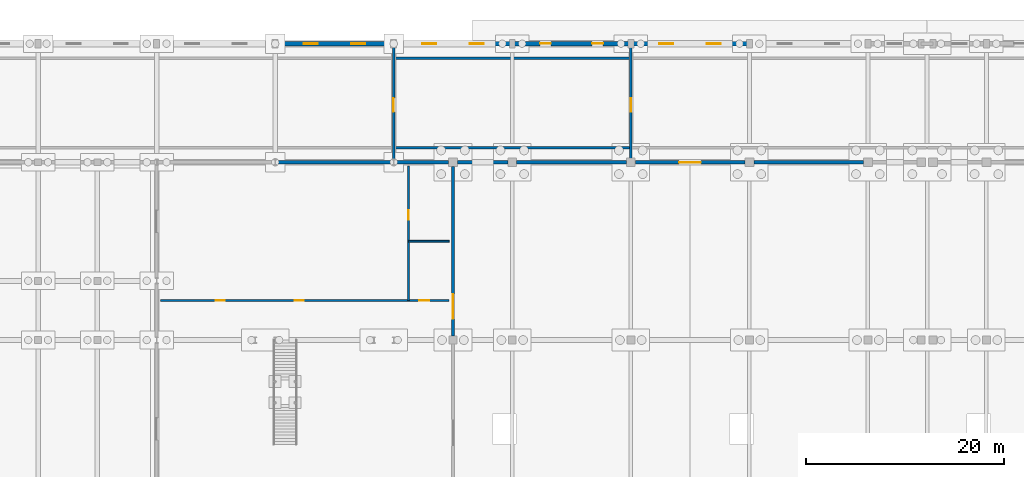
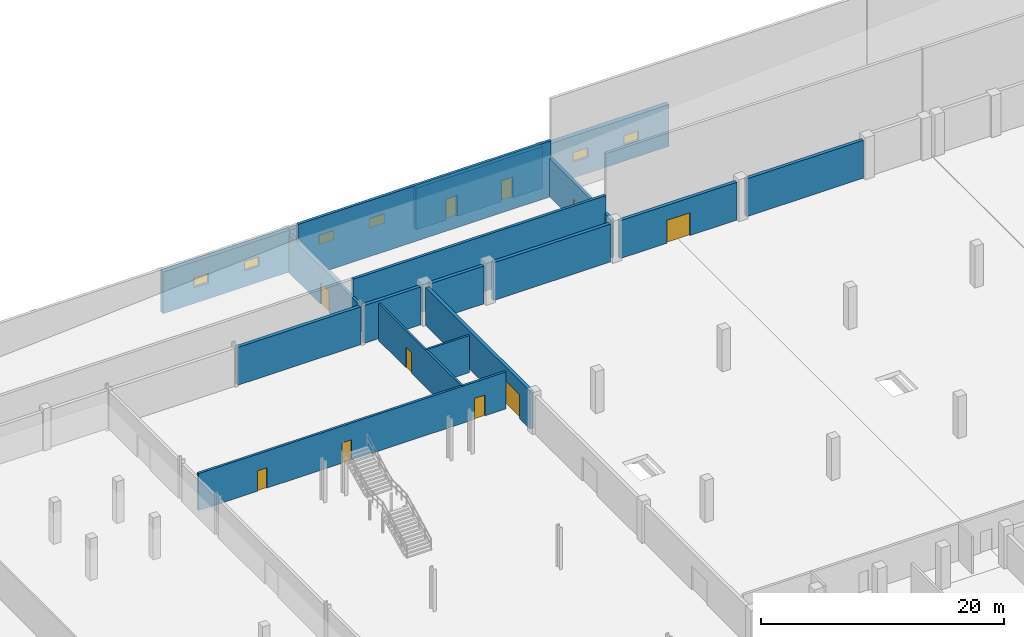
# One storey, part 64 of 77: 18 walls, 10 doors, 6 windows, 16 openings.
"""IFC4 building model written with IfcOpenShell, lengths in metres."""

from ifc_helpers import new_model, si_unit, direction, frame, frame_2d, origin, place, context, subcontext, project, spatial, rectangle, extrude, material, layer, layer_set, type_object, element, fill, save


model = new_model("IFC4")

# Units and contexts
model_context = context("Model", 3, precision=1e-05, world=origin(), true_north=direction((0.0, 1.0)))
body_context = subcontext(model_context, "Body", "Model", "MODEL_VIEW")
ifc_project = project(units=[si_unit("LENGTHUNIT", "METRE"), si_unit("AREAUNIT", "SQUARE_METRE"), si_unit("VOLUMEUNIT", "CUBIC_METRE"), si_unit("PLANEANGLEUNIT", "RADIAN"), si_unit("MASSUNIT", "GRAM", prefix="KILO")], contexts=[model_context])

# Site, building, storey
site_placement = place(None, origin())
site = spatial("IfcSite", under=ifc_project, at=site_placement, CompositionType="ELEMENT")
building_placement = place(site_placement, origin())
building = spatial("IfcBuilding", under=site, at=building_placement, Name="Zilviju Railside Exhibition Hall", CompositionType="ELEMENT")
storey_placement = place(building_placement, origin())
storey = spatial("IfcBuildingStorey", under=building, at=storey_placement, Name="L01", CompositionType="ELEMENT", Elevation=0.0)

# Wall, opening, door
ifc_material_1 = material(Name="Concrete C40/50", Category="concrete")
ifc_layer_1 = layer(ifc_material_1, 0.320068359375)
ifc_layer_set_1 = layer_set([ifc_layer_1], Name="Concrete C40/50")
wall_type_1 = type_object("IfcWallType", Name="WL-COMP-320", PredefinedType="SHEAR", material=ifc_layer_set_1)
wall_1_placement = place(storey_placement, frame((78.0, 120.402099609375, 0.0), z_axis=(0.0, 0.0, 1.0), x_axis=(0.0, 1.0, 0.0)))
wall_1 = element("IfcWall", 1, at=wall_1_placement, inside=storey, type_object=wall_type_1, Name="REI 180 North Hall Compartment Wall L01", PredefinedType="SHEAR", context=body_context, shape_type="SweptSolid", body=[
    extrude(rectangle(XDim=17.14599609375, YDim=0.320068359375, at=frame_2d((8.572998046875, 0.0))), origin(), (0.0, 0.0, 1.0), 3.800048828125),
])
opening_1_placement = place(wall_1_placement, frame((1.748046875, 0.0, 0.0)))
opening_1 = element("IfcOpeningElement", 2, at=opening_1_placement, cuts=wall_1, Name="Opening FD-04", PredefinedType="OPENING", context=body_context, shape_type="SweptSolid", body=[
    extrude(rectangle(XDim=2.5, YDim=2.39990234375, at=frame_2d((1.25, 1.199951171875))), frame((0.0, 0.169921875, 0.0), z_axis=(0.0, -1.0, 0.0), x_axis=(1.0, 0.0, 0.0)), (0.0, 0.0, 1.0), 0.340087890625),
])
ifc_material_2 = material(Name="Exhibition hall fire compartment double door EI 60", Category="wood")
door_type_1 = type_object("IfcDoorType", Name="DR-COMP-250x240", OperationType="NOTDEFINED", PredefinedType="DOOR", material=ifc_material_2)
door_1_placement = place(opening_1_placement, origin())
door_1 = element("IfcDoor", 3, at=door_1_placement, inside=storey, type_object=door_type_1, Name="North Hall Entry Fire Door L01", OperationType="DOUBLE_DOOR_SINGLE_SWING", OverallHeight=2.39990234375, OverallWidth=2.5, PredefinedType="DOOR", context=body_context, shape_type="SweptSolid", body=[
    extrude(rectangle(XDim=2.5, YDim=2.39990234375, at=frame_2d((1.25, 1.199951171875))), frame((0.0, 0.02490234375, 0.0), z_axis=(0.0, -1.0, 0.0), x_axis=(1.0, 0.0, 0.0)), (0.0, 0.0, 1.0), 0.050048828125),
])
fill(opening_1, door_1)

# Walls
wall_2_placement = place(storey_placement, frame((60.152099609375, 138.0, 0.0), z_axis=(0.0, 0.0, 1.0), x_axis=(1.0, 0.0, 0.0)))
element("IfcWall", 4, at=wall_2_placement, inside=storey, type_object=wall_type_1, Name="REI 180 Railside Buffer Compartment Wall L01", PredefinedType="SHEAR", context=body_context, shape_type="SweptSolid", body=[
    extrude(rectangle(XDim=11.69580078125, YDim=0.320068359375, at=frame_2d((5.847900390625, 0.0))), origin(), (0.0, 0.0, 1.0), 3.800048828125),
])
wall_3_placement = place(storey_placement, frame((72.152099609375, 138.0, 0.0), z_axis=(0.0, 0.0, 1.0), x_axis=(1.0, 0.0, 0.0)))
element("IfcWall", 5, at=wall_3_placement, inside=storey, type_object=wall_type_1, Name="REI 180 Railside Buffer Compartment Wall L01", PredefinedType="SHEAR", context=body_context, shape_type="SweptSolid", body=[
    extrude(rectangle(XDim=5.39599609375, YDim=0.320068359375, at=frame_2d((2.697998046875, 0.0))), origin(), (0.0, 0.0, 1.0), 3.800048828125),
])
wall_4_placement = place(storey_placement, frame((78.451904296875, 138.0, 0.0), z_axis=(0.0, 0.0, 1.0), x_axis=(1.0, 0.0, 0.0)))
element("IfcWall", 6, at=wall_4_placement, inside=storey, type_object=wall_type_1, Name="REI 180 Railside Buffer Compartment Wall L01", PredefinedType="SHEAR", context=body_context, shape_type="SweptSolid", body=[
    extrude(rectangle(XDim=5.09619140625, YDim=0.320068359375, at=frame_2d((2.548095703125, 0.0))), origin(), (0.0, 0.0, 1.0), 3.800048828125),
])
wall_5_placement = place(storey_placement, frame((84.451904296875, 138.0, 0.0), z_axis=(0.0, 0.0, 1.0), x_axis=(1.0, 0.0, 0.0)))
element("IfcWall", 7, at=wall_5_placement, inside=storey, type_object=wall_type_1, Name="REI 180 Railside Buffer Compartment Wall L01", PredefinedType="SHEAR", context=body_context, shape_type="SweptSolid", body=[
    extrude(rectangle(XDim=11.09619140625, YDim=0.320068359375, at=frame_2d((5.548095703125, 0.0))), origin(), (0.0, 0.0, 1.0), 3.800048828125),
])

# Wall, opening, door
wall_6_placement = place(storey_placement, frame((96.451904296875, 138.0, 0.0), z_axis=(0.0, 0.0, 1.0), x_axis=(1.0, 0.0, 0.0)))
wall_6 = element("IfcWall", 8, at=wall_6_placement, inside=storey, type_object=wall_type_1, Name="REI 180 Railside Buffer Compartment Wall L01", PredefinedType="SHEAR", context=body_context, shape_type="SweptSolid", body=[
    extrude(rectangle(XDim=11.09619140625, YDim=0.320068359375, at=frame_2d((5.548095703125, 0.0))), origin(), (0.0, 0.0, 1.0), 3.800048828125),
])
opening_2_placement = place(wall_6_placement, frame((4.447998046875, 0.0, 0.0)))
opening_2 = element("IfcOpeningElement", 9, at=opening_2_placement, cuts=wall_6, Name="Opening FD-03", PredefinedType="OPENING", context=body_context, shape_type="SweptSolid", body=[
    extrude(rectangle(XDim=2.199951171875, YDim=2.300048828125, at=frame_2d((1.10009765625, 1.14990234375))), frame((0.0, 0.169921875, 0.0), z_axis=(0.0, -1.0, 0.0), x_axis=(1.0, 0.0, 0.0)), (0.0, 0.0, 1.0), 0.340087890625),
])
ifc_material_3 = material(Name="Hold-open double compartment fire door EI 60", Category="wood")
door_type_2 = type_object("IfcDoorType", Name="DR-COMP-220x230", OperationType="NOTDEFINED", PredefinedType="DOOR", material=ifc_material_3)
door_2_placement = place(opening_2_placement, origin())
door_2 = element("IfcDoor", 10, at=door_2_placement, inside=storey, type_object=door_type_2, Name="Logistics Marshalling Fire Door", OperationType="DOUBLE_DOOR_SINGLE_SWING", OverallHeight=2.300048828125, OverallWidth=2.199951171875, PredefinedType="DOOR", context=body_context, shape_type="SweptSolid", body=[
    extrude(rectangle(XDim=2.199951171875, YDim=2.300048828125, at=frame_2d((1.10009765625, 1.14990234375))), frame((0.0, 0.02490234375, 0.0), z_axis=(0.0, -1.0, 0.0), x_axis=(1.0, 0.0, 0.0)), (0.0, 0.0, 1.0), 0.050048828125),
])
fill(opening_2, door_2)

# Wall
wall_7_placement = place(storey_placement, frame((108.451904296875, 138.0, 0.0), z_axis=(0.0, 0.0, 1.0), x_axis=(1.0, 0.0, 0.0)))
element("IfcWall", 11, at=wall_7_placement, inside=storey, type_object=wall_type_1, Name="REI 180 Railside Buffer Compartment Wall L01", PredefinedType="SHEAR", context=body_context, shape_type="SweptSolid", body=[
    extrude(rectangle(XDim=11.09619140625, YDim=0.320068359375, at=frame_2d((5.548095703125, 0.0))), origin(), (0.0, 0.0, 1.0), 3.800048828125),
])

# Wall, openings, windows
ifc_layer_2 = layer(ifc_material_1, 0.43994140625)
ifc_layer_set_2 = layer_set([ifc_layer_2], Name="Concrete C40/50")
wall_type_2 = type_object("IfcWallType", Name="WL-EXT-AC440", PredefinedType="SHEAR", material=ifc_layer_set_2)
wall_8_placement = place(storey_placement, frame((60.0, 150.0, 0.0), z_axis=(0.0, 0.0, 1.0), x_axis=(1.0, 0.0, 0.0)))
wall_8 = element("IfcWall", 12, at=wall_8_placement, inside=storey, type_object=wall_type_2, Name="Exterior Facade Wall L01 North 0526", PredefinedType="SHEAR", context=body_context, shape_type="SweptSolid", body=[
    extrude(rectangle(XDim=12.0, YDim=0.43994140625, at=frame_2d((6.0, 0.0))), origin(), (0.0, 0.0, 1.0), 4.199951171875),
])
opening_3_placement = place(wall_8_placement, frame((2.89990234375, 0.0, 1.60009765625)))
opening_3 = element("IfcOpeningElement", 13, at=opening_3_placement, cuts=wall_8, Name="Opening WN-17", PredefinedType="OPENING", context=body_context, shape_type="SweptSolid", body=[
    extrude(rectangle(XDim=1.39990234375, YDim=0.949951171875, at=frame_2d((0.699951171875, 0.47509765625))), frame((0.0, 0.22998046875, 0.0), z_axis=(0.0, -1.0, 0.0), x_axis=(1.0, 0.0, 0.0)), (0.0, 0.0, 1.0), 0.4599609375),
])
opening_4_placement = place(wall_8_placement, frame((7.699951171875, 0.0, 1.60009765625)))
opening_4 = element("IfcOpeningElement", 14, at=opening_4_placement, cuts=wall_8, Name="Opening WN-17", PredefinedType="OPENING", context=body_context, shape_type="SweptSolid", body=[
    extrude(rectangle(XDim=1.39990234375, YDim=0.949951171875, at=frame_2d((0.699951171875, 0.47509765625))), frame((0.0, 0.22998046875, 0.0), z_axis=(0.0, -1.0, 0.0), x_axis=(1.0, 0.0, 0.0)), (0.0, 0.0, 1.0), 0.4599609375),
])
ifc_material_4 = material(Name="Triple-glazed timber-aluminium window unit", Category="wood")
window_type = type_object("IfcWindowType", Name="WIN-LOG-140x095", PartitioningType="DOUBLE_PANEL_VERTICAL", PredefinedType="WINDOW", material=ifc_material_4)
window_1_placement = place(opening_3_placement, origin())
window_1 = element("IfcWindow", 15, at=window_1_placement, inside=storey, type_object=window_type, Name="Facade Window L01 WN-0096", OverallHeight=0.949951171875, OverallWidth=1.39990234375, PartitioningType="SINGLE_PANEL", PredefinedType="WINDOW", context=body_context, shape_type="SweptSolid", body=[
    extrude(rectangle(XDim=1.39990234375, YDim=0.949951171875, at=frame_2d((0.699951171875, 0.47509765625))), frame((0.0, 0.030029296875, 0.0), z_axis=(0.0, -1.0, 0.0), x_axis=(1.0, 0.0, 0.0)), (0.0, 0.0, 1.0), 0.06005859375),
])
fill(opening_3, window_1)
window_2_placement = place(opening_4_placement, origin())
window_2 = element("IfcWindow", 16, at=window_2_placement, inside=storey, type_object=window_type, Name="Facade Window L01 WN-0097", OverallHeight=0.949951171875, OverallWidth=1.39990234375, PartitioningType="SINGLE_PANEL", PredefinedType="WINDOW", context=body_context, shape_type="SweptSolid", body=[
    extrude(rectangle(XDim=1.39990234375, YDim=0.949951171875, at=frame_2d((0.699951171875, 0.47509765625))), frame((0.0, 0.030029296875, 0.0), z_axis=(0.0, -1.0, 0.0), x_axis=(1.0, 0.0, 0.0)), (0.0, 0.0, 1.0), 0.06005859375),
])
fill(opening_4, window_2)

wall_9_placement = place(storey_placement, frame((72.0, 150.0, 0.0), z_axis=(0.0, 0.0, 1.0), x_axis=(1.0, 0.0, 0.0)))
wall_9 = element("IfcWall", 17, at=wall_9_placement, inside=storey, type_object=wall_type_2, Name="Exterior Facade Wall L01 North 0527", PredefinedType="SHEAR", context=body_context, shape_type="SweptSolid", body=[
    extrude(rectangle(XDim=12.0, YDim=0.43994140625, at=frame_2d((6.0, 0.0))), origin(), (0.0, 0.0, 1.0), 4.199951171875),
])
opening_5_placement = place(wall_9_placement, frame((2.89990234375, 0.0, 1.60009765625)))
opening_5 = element("IfcOpeningElement", 18, at=opening_5_placement, cuts=wall_9, Name="Opening WN-17", PredefinedType="OPENING", context=body_context, shape_type="SweptSolid", body=[
    extrude(rectangle(XDim=1.39990234375, YDim=0.949951171875, at=frame_2d((0.699951171875, 0.47509765625))), frame((0.0, 0.22998046875, 0.0), z_axis=(0.0, -1.0, 0.0), x_axis=(1.0, 0.0, 0.0)), (0.0, 0.0, 1.0), 0.4599609375),
])
opening_6_placement = place(wall_9_placement, frame((7.699951171875, 0.0, 1.60009765625)))
opening_6 = element("IfcOpeningElement", 19, at=opening_6_placement, cuts=wall_9, Name="Opening WN-17", PredefinedType="OPENING", context=body_context, shape_type="SweptSolid", body=[
    extrude(rectangle(XDim=1.39990234375, YDim=0.949951171875, at=frame_2d((0.699951171875, 0.47509765625))), frame((0.0, 0.22998046875, 0.0), z_axis=(0.0, -1.0, 0.0), x_axis=(1.0, 0.0, 0.0)), (0.0, 0.0, 1.0), 0.4599609375),
])
window_3_placement = place(opening_5_placement, origin())
window_3 = element("IfcWindow", 20, at=window_3_placement, inside=storey, type_object=window_type, Name="Facade Window L01 WN-0098", OverallHeight=0.949951171875, OverallWidth=1.39990234375, PartitioningType="SINGLE_PANEL", PredefinedType="WINDOW", context=body_context, shape_type="SweptSolid", body=[
    extrude(rectangle(XDim=1.39990234375, YDim=0.949951171875, at=frame_2d((0.699951171875, 0.47509765625))), frame((0.0, 0.030029296875, 0.0), z_axis=(0.0, -1.0, 0.0), x_axis=(1.0, 0.0, 0.0)), (0.0, 0.0, 1.0), 0.06005859375),
])
fill(opening_5, window_3)
window_4_placement = place(opening_6_placement, origin())
window_4 = element("IfcWindow", 21, at=window_4_placement, inside=storey, type_object=window_type, Name="Facade Window L01 WN-0099", OverallHeight=0.949951171875, OverallWidth=1.39990234375, PartitioningType="SINGLE_PANEL", PredefinedType="WINDOW", context=body_context, shape_type="SweptSolid", body=[
    extrude(rectangle(XDim=1.39990234375, YDim=0.949951171875, at=frame_2d((0.699951171875, 0.47509765625))), frame((0.0, 0.030029296875, 0.0), z_axis=(0.0, -1.0, 0.0), x_axis=(1.0, 0.0, 0.0)), (0.0, 0.0, 1.0), 0.06005859375),
])
fill(opening_6, window_4)

# Wall, openings, doors
wall_10_placement = place(storey_placement, frame((84.0, 150.0, 0.0), z_axis=(0.0, 0.0, 1.0), x_axis=(1.0, 0.0, 0.0)))
wall_10 = element("IfcWall", 22, at=wall_10_placement, inside=storey, type_object=wall_type_2, Name="Exterior Facade Wall L01 North 0528", PredefinedType="SHEAR", context=body_context, shape_type="SweptSolid", body=[
    extrude(rectangle(XDim=12.0, YDim=0.43994140625, at=frame_2d((6.0, 0.0))), origin(), (0.0, 0.0, 1.0), 4.199951171875),
])
opening_7_placement = place(wall_10_placement, frame((2.81005859375, 0.0, 0.0)))
opening_7 = element("IfcOpeningElement", 23, at=opening_7_placement, cuts=wall_10, Name="Opening SD-01", PredefinedType="OPENING", context=body_context, shape_type="SweptSolid", body=[
    extrude(rectangle(XDim=1.10009765625, YDim=2.10009765625, at=frame_2d((0.550048828125, 1.050048828125))), frame((0.0, 0.22998046875, 0.0), z_axis=(0.0, -1.0, 0.0), x_axis=(1.0, 0.0, 0.0)), (0.0, 0.0, 1.0), 0.4599609375),
])
opening_8_placement = place(wall_10_placement, frame((8.090087890625, 0.0, 0.0)))
opening_8 = element("IfcOpeningElement", 24, at=opening_8_placement, cuts=wall_10, Name="Opening SD-01", PredefinedType="OPENING", context=body_context, shape_type="SweptSolid", body=[
    extrude(rectangle(XDim=1.10009765625, YDim=2.10009765625, at=frame_2d((0.550048828125, 1.050048828125))), frame((0.0, 0.22998046875, 0.0), z_axis=(0.0, -1.0, 0.0), x_axis=(1.0, 0.0, 0.0)), (0.0, 0.0, 1.0), 0.4599609375),
])
ifc_material_5 = material(Name="Insulated steel plant exterior door", Category="steel")
door_type_3 = type_object("IfcDoorType", Name="DR-EXT-SERV-110x210", OperationType="NOTDEFINED", PredefinedType="DOOR", material=ifc_material_5)
door_3_placement = place(opening_7_placement, origin())
door_3 = element("IfcDoor", 25, at=door_3_placement, inside=storey, type_object=door_type_3, Name="Pedestrian Final Exit Door ED-062", OperationType="DOUBLE_DOOR_SINGLE_SWING", OverallHeight=2.10009765625, OverallWidth=1.10009765625, PredefinedType="DOOR", context=body_context, shape_type="SweptSolid", body=[
    extrude(rectangle(XDim=1.10009765625, YDim=2.10009765625, at=frame_2d((0.550048828125, 1.050048828125))), frame((0.0, 0.02490234375, 0.0), z_axis=(0.0, -1.0, 0.0), x_axis=(1.0, 0.0, 0.0)), (0.0, 0.0, 1.0), 0.050048828125),
])
fill(opening_7, door_3)
door_4_placement = place(opening_8_placement, origin())
door_4 = element("IfcDoor", 26, at=door_4_placement, inside=storey, type_object=door_type_3, Name="Pedestrian Final Exit Door ED-063", OperationType="DOUBLE_DOOR_SINGLE_SWING", OverallHeight=2.10009765625, OverallWidth=1.10009765625, PredefinedType="DOOR", context=body_context, shape_type="SweptSolid", body=[
    extrude(rectangle(XDim=1.10009765625, YDim=2.10009765625, at=frame_2d((0.550048828125, 1.050048828125))), frame((0.0, 0.02490234375, 0.0), z_axis=(0.0, -1.0, 0.0), x_axis=(1.0, 0.0, 0.0)), (0.0, 0.0, 1.0), 0.050048828125),
])
fill(opening_8, door_4)

# Wall, openings, windows
wall_11_placement = place(storey_placement, frame((96.0, 150.0, 0.0), z_axis=(0.0, 0.0, 1.0), x_axis=(1.0, 0.0, 0.0)))
wall_11 = element("IfcWall", 27, at=wall_11_placement, inside=storey, type_object=wall_type_2, Name="Exterior Facade Wall L01 North 0529", PredefinedType="SHEAR", context=body_context, shape_type="SweptSolid", body=[
    extrude(rectangle(XDim=12.0, YDim=0.43994140625, at=frame_2d((6.0, 0.0))), origin(), (0.0, 0.0, 1.0), 4.199951171875),
])
opening_9_placement = place(wall_11_placement, frame((2.89990234375, 0.0, 1.60009765625)))
opening_9 = element("IfcOpeningElement", 28, at=opening_9_placement, cuts=wall_11, Name="Opening WN-17", PredefinedType="OPENING", context=body_context, shape_type="SweptSolid", body=[
    extrude(rectangle(XDim=1.39990234375, YDim=0.949951171875, at=frame_2d((0.699951171875, 0.47509765625))), frame((0.0, 0.22998046875, 0.0), z_axis=(0.0, -1.0, 0.0), x_axis=(1.0, 0.0, 0.0)), (0.0, 0.0, 1.0), 0.4599609375),
])
opening_10_placement = place(wall_11_placement, frame((7.699951171875, 0.0, 1.60009765625)))
opening_10 = element("IfcOpeningElement", 29, at=opening_10_placement, cuts=wall_11, Name="Opening WN-17", PredefinedType="OPENING", context=body_context, shape_type="SweptSolid", body=[
    extrude(rectangle(XDim=1.39990234375, YDim=0.949951171875, at=frame_2d((0.699951171875, 0.47509765625))), frame((0.0, 0.22998046875, 0.0), z_axis=(0.0, -1.0, 0.0), x_axis=(1.0, 0.0, 0.0)), (0.0, 0.0, 1.0), 0.4599609375),
])
window_5_placement = place(opening_9_placement, origin())
window_5 = element("IfcWindow", 30, at=window_5_placement, inside=storey, type_object=window_type, Name="Facade Window L01 WN-0100", OverallHeight=0.949951171875, OverallWidth=1.39990234375, PartitioningType="SINGLE_PANEL", PredefinedType="WINDOW", context=body_context, shape_type="SweptSolid", body=[
    extrude(rectangle(XDim=1.39990234375, YDim=0.949951171875, at=frame_2d((0.699951171875, 0.47509765625))), frame((0.0, 0.030029296875, 0.0), z_axis=(0.0, -1.0, 0.0), x_axis=(1.0, 0.0, 0.0)), (0.0, 0.0, 1.0), 0.06005859375),
])
fill(opening_9, window_5)
window_6_placement = place(opening_10_placement, origin())
window_6 = element("IfcWindow", 31, at=window_6_placement, inside=storey, type_object=window_type, Name="Facade Window L01 WN-0101", OverallHeight=0.949951171875, OverallWidth=1.39990234375, PartitioningType="SINGLE_PANEL", PredefinedType="WINDOW", context=body_context, shape_type="SweptSolid", body=[
    extrude(rectangle(XDim=1.39990234375, YDim=0.949951171875, at=frame_2d((0.699951171875, 0.47509765625))), frame((0.0, 0.030029296875, 0.0), z_axis=(0.0, -1.0, 0.0), x_axis=(1.0, 0.0, 0.0)), (0.0, 0.0, 1.0), 0.06005859375),
])
fill(opening_10, window_6)

# Wall, opening, door
ifc_material_6 = material(Name="Accessible WC sanitary chase wall", Category="masonry")
ifc_layer_3 = layer(ifc_material_6, 0.18994140625)
ifc_layer_set_3 = layer_set([ifc_layer_3], Name="Accessible WC sanitary chase wall")
wall_type_3 = type_object("IfcWallType", Name="WL-PLMB-190", PredefinedType="PLUMBINGWALL", material=ifc_layer_set_3)
wall_12_placement = place(storey_placement, frame((73.5, 124.0, 0.0), z_axis=(0.0, 0.0, 1.0), x_axis=(0.0, 1.0, 0.0)))
wall_12 = element("IfcWall", 32, at=wall_12_placement, inside=storey, type_object=wall_type_3, Name="Concourse Accessible WC Divider", PredefinedType="PLUMBINGWALL", context=body_context, shape_type="SweptSolid", body=[
    extrude(rectangle(XDim=13.60009765625, YDim=0.18994140625, at=frame_2d((6.800048828125, 0.0))), origin(), (0.0, 0.0, 1.0), 3.719970703125),
])
opening_11_placement = place(wall_12_placement, frame((8.199951171875, 0.0, 0.0)))
opening_11 = element("IfcOpeningElement", 33, at=opening_11_placement, cuts=wall_12, Name="Opening ID-04", PredefinedType="OPENING", context=body_context, shape_type="SweptSolid", body=[
    extrude(rectangle(XDim=0.919921875, YDim=2.050048828125, at=frame_2d((0.4599609375, 1.02490234375))), frame((0.0, 0.10498046875, 0.0), z_axis=(0.0, -1.0, 0.0), x_axis=(1.0, 0.0, 0.0)), (0.0, 0.0, 1.0), 0.2099609375),
])
ifc_material_7 = material(Name="Timber interior office door", Category="wood")
door_type_4 = type_object("IfcDoorType", Name="DR-OFF-092x205", OperationType="NOTDEFINED", PredefinedType="DOOR", material=ifc_material_7)
door_5_placement = place(opening_11_placement, origin())
door_5 = element("IfcDoor", 34, at=door_5_placement, inside=storey, type_object=door_type_4, Name="Concourse Janitor Store Door", OperationType="SINGLE_SWING_RIGHT", OverallHeight=2.050048828125, OverallWidth=0.919921875, PredefinedType="DOOR", context=body_context, shape_type="SweptSolid", body=[
    extrude(rectangle(XDim=0.919921875, YDim=2.050048828125, at=frame_2d((0.4599609375, 1.02490234375))), frame((0.0, 0.02490234375, 0.0), z_axis=(0.0, -1.0, 0.0), x_axis=(1.0, 0.0, 0.0)), (0.0, 0.0, 1.0), 0.050048828125),
])
fill(opening_11, door_5)

# Wall
wall_13_placement = place(storey_placement, frame((73.5, 130.0, 0.0), z_axis=(0.0, 0.0, 1.0), x_axis=(1.0, 0.0, 0.0)))
element("IfcWall", 35, at=wall_13_placement, inside=storey, type_object=wall_type_3, Name="Concourse Janitor Store Cross Wall", PredefinedType="PLUMBINGWALL", context=body_context, shape_type="SweptSolid", body=[
    extrude(rectangle(XDim=4.10009765625, YDim=0.18994140625, at=frame_2d((2.050048828125, 0.0))), origin(), (0.0, 0.0, 1.0), 3.719970703125),
])

# Wall, openings, doors
ifc_material_8 = material(Name="Sanitary plumbing chase wall", Category="masonry")
ifc_layer_4 = layer(ifc_material_8, 0.219970703125)
ifc_layer_set_4 = layer_set([ifc_layer_4], Name="Sanitary plumbing chase wall")
wall_type_4 = type_object("IfcWallType", Name="WL-PLMB-220", PredefinedType="PLUMBINGWALL", material=ifc_layer_set_4)
wall_14_placement = place(storey_placement, frame((48.39990234375, 124.0, 0.0), z_axis=(0.0, 0.0, 1.0), x_axis=(1.0, 0.0, 0.0)))
wall_14 = element("IfcWall", 36, at=wall_14_placement, inside=storey, type_object=wall_type_4, Name="Concourse North WC Wall", PredefinedType="PLUMBINGWALL", context=body_context, shape_type="SweptSolid", body=[
    extrude(rectangle(XDim=29.2001953125, YDim=0.219970703125, at=frame_2d((14.60009765625, 0.0))), origin(), (0.0, 0.0, 1.0), 3.719970703125),
])
opening_12_placement = place(wall_14_placement, frame((5.60009765625, 0.0, 0.0)))
opening_12 = element("IfcOpeningElement", 37, at=opening_12_placement, cuts=wall_14, Name="Opening WD-02", PredefinedType="OPENING", context=body_context, shape_type="SweptSolid", body=[
    extrude(rectangle(XDim=0.89990234375, YDim=2.050048828125, at=frame_2d((0.449951171875, 1.02490234375))), frame((0.0, 0.119873046875, 0.0), z_axis=(0.0, -1.0, 0.0), x_axis=(1.0, 0.0, 0.0)), (0.0, 0.0, 1.0), 0.239990234375),
])
opening_13_placement = place(wall_14_placement, frame((13.60009765625, 0.0, 0.0)))
opening_13 = element("IfcOpeningElement", 38, at=opening_13_placement, cuts=wall_14, Name="Opening WD-02", PredefinedType="OPENING", context=body_context, shape_type="SweptSolid", body=[
    extrude(rectangle(XDim=0.89990234375, YDim=2.050048828125, at=frame_2d((0.449951171875, 1.02490234375))), frame((0.0, 0.119873046875, 0.0), z_axis=(0.0, -1.0, 0.0), x_axis=(1.0, 0.0, 0.0)), (0.0, 0.0, 1.0), 0.239990234375),
])
opening_14_placement = place(wall_14_placement, frame((26.199951171875, 0.0, 0.0)))
opening_14 = element("IfcOpeningElement", 39, at=opening_14_placement, cuts=wall_14, Name="Opening WD-01", PredefinedType="OPENING", context=body_context, shape_type="SweptSolid", body=[
    extrude(rectangle(XDim=1.0, YDim=2.10009765625, at=frame_2d((0.5, 1.050048828125))), frame((0.0, 0.119873046875, 0.0), z_axis=(0.0, -1.0, 0.0), x_axis=(1.0, 0.0, 0.0)), (0.0, 0.0, 1.0), 0.239990234375),
])
ifc_material_9 = material(Name="Accessible WC outward-opening door", Category="wood")
door_type_5 = type_object("IfcDoorType", Name="DR-WC-ACC-100x210", OperationType="NOTDEFINED", PredefinedType="DOOR", material=ifc_material_9)
door_6_placement = place(opening_14_placement, origin())
door_6 = element("IfcDoor", 40, at=door_6_placement, inside=storey, type_object=door_type_5, Name="Concourse Accessible WC Door", OperationType="SINGLE_SWING_LEFT", OverallHeight=2.10009765625, OverallWidth=1.0, PredefinedType="DOOR", context=body_context, shape_type="SweptSolid", body=[
    extrude(rectangle(XDim=1.0, YDim=2.10009765625, at=frame_2d((0.5, 1.050048828125))), frame((0.0, 0.02490234375, 0.0), z_axis=(0.0, -1.0, 0.0), x_axis=(1.0, 0.0, 0.0)), (0.0, 0.0, 1.0), 0.050048828125),
])
fill(opening_14, door_6)
ifc_material_10 = material(Name="Sanitary washroom timber door", Category="wood")
door_type_6 = type_object("IfcDoorType", Name="DR-WC-STD-090x205", OperationType="NOTDEFINED", PredefinedType="DOOR", material=ifc_material_10)
door_7_placement = place(opening_12_placement, origin())
door_7 = element("IfcDoor", 41, at=door_7_placement, inside=storey, type_object=door_type_6, Name="Concourse Men Toilets Door", OperationType="SINGLE_SWING_LEFT", OverallHeight=2.050048828125, OverallWidth=0.89990234375, PredefinedType="DOOR", context=body_context, shape_type="SweptSolid", body=[
    extrude(rectangle(XDim=0.89990234375, YDim=2.050048828125, at=frame_2d((0.449951171875, 1.02490234375))), frame((0.0, 0.02490234375, 0.0), z_axis=(0.0, -1.0, 0.0), x_axis=(1.0, 0.0, 0.0)), (0.0, 0.0, 1.0), 0.050048828125),
])
fill(opening_12, door_7)
door_8_placement = place(opening_13_placement, origin())
door_8 = element("IfcDoor", 42, at=door_8_placement, inside=storey, type_object=door_type_6, Name="Concourse Women Toilets Door", OperationType="SINGLE_SWING_RIGHT", OverallHeight=2.050048828125, OverallWidth=0.89990234375, PredefinedType="DOOR", context=body_context, shape_type="SweptSolid", body=[
    extrude(rectangle(XDim=0.89990234375, YDim=2.050048828125, at=frame_2d((0.449951171875, 1.02490234375))), frame((0.0, 0.02490234375, 0.0), z_axis=(0.0, -1.0, 0.0), x_axis=(1.0, 0.0, 0.0)), (0.0, 0.0, 1.0), 0.050048828125),
])
fill(opening_13, door_8)

# Walls
ifc_layer_5 = layer(ifc_material_1, 0.260009765625)
ifc_layer_set_5 = layer_set([ifc_layer_5], Name="Concrete C40/50")
wall_type_5 = type_object("IfcWallType", Name="WL-RAMP-260", PredefinedType="SHEAR", material=ifc_layer_set_5)
for number, where, z_axis, x_axis, name in (
    (43, (72.0, 139.469970703125, 0.0), (0.0, 0.0, 1.0), (1.0, 0.0, 0.0), "HGV Truck Ramp Bearing Wall 2S"),
    (44, (72.0, 148.530029296875, 0.0), (0.0, 0.0, 1.0), (1.0, 0.0, 0.0), "HGV Truck Ramp Bearing Wall 2N"),
):
    element("IfcWall", number, at=place(storey_placement, frame(where, z_axis=z_axis, x_axis=x_axis)), inside=storey, type_object=wall_type_5, Name=name, PredefinedType="SHEAR", context=body_context, shape_type="SweptSolid", body=[
        extrude(rectangle(XDim=24.0, YDim=0.260009765625, at=frame_2d((12.0, 0.0))), origin(), (0.0, 0.0, 1.0), 5.60009765625),
    ])

# Wall, opening, door
wall_15_placement = place(storey_placement, frame((72.0, 138.300048828125, 0.0), z_axis=(0.0, 0.0, 1.0), x_axis=(0.0, 1.0, 0.0)))
wall_15 = element("IfcWall", 45, at=wall_15_placement, inside=storey, type_object=wall_type_5, Name="HGV Ramp Transverse Bearing Wall X=72", PredefinedType="SHEAR", context=body_context, shape_type="SweptSolid", body=[
    extrude(rectangle(XDim=11.39990234375, YDim=0.260009765625, at=frame_2d((5.699951171875, 0.0))), origin(), (0.0, 0.0, 1.0), 3.85009765625),
])
opening_15_placement = place(wall_15_placement, frame((4.800048828125, 0.0, 0.0)))
opening_15 = element("IfcOpeningElement", 46, at=opening_15_placement, cuts=wall_15, Name="Opening FD-05", PredefinedType="OPENING", context=body_context, shape_type="SweptSolid", body=[
    extrude(rectangle(XDim=1.39990234375, YDim=2.14990234375, at=frame_2d((0.699951171875, 1.074951171875))), frame((0.0, 0.139892578125, 0.0), z_axis=(0.0, -1.0, 0.0), x_axis=(1.0, 0.0, 0.0)), (0.0, 0.0, 1.0), 0.280029296875),
])
ifc_material_11 = material(Name="Steel double plant room fire door EI 60", Category="steel")
door_type_7 = type_object("IfcDoorType", Name="DR-PLANT-140x215", OperationType="NOTDEFINED", PredefinedType="DOOR", material=ifc_material_11)
door_9_placement = place(opening_15_placement, origin())
door_9 = element("IfcDoor", 47, at=door_9_placement, inside=storey, type_object=door_type_7, Name="MEP Plant West Fire Door", OperationType="SINGLE_SWING_LEFT", OverallHeight=2.14990234375, OverallWidth=1.39990234375, PredefinedType="DOOR", context=body_context, shape_type="SweptSolid", body=[
    extrude(rectangle(XDim=1.39990234375, YDim=2.14990234375, at=frame_2d((0.699951171875, 1.074951171875))), frame((0.0, 0.02490234375, 0.0), z_axis=(0.0, -1.0, 0.0), x_axis=(1.0, 0.0, 0.0)), (0.0, 0.0, 1.0), 0.050048828125),
])
fill(opening_15, door_9)

wall_16_placement = place(storey_placement, frame((96.0, 138.300048828125, 0.0), z_axis=(0.0, 0.0, 1.0), x_axis=(0.0, 1.0, 0.0)))
wall_16 = element("IfcWall", 48, at=wall_16_placement, inside=storey, type_object=wall_type_5, Name="HGV Ramp Transverse Bearing Wall X=96", PredefinedType="SHEAR", context=body_context, shape_type="SweptSolid", body=[
    extrude(rectangle(XDim=11.39990234375, YDim=0.260009765625, at=frame_2d((5.699951171875, 0.0))), origin(), (0.0, 0.0, 1.0), 3.85009765625),
])
opening_16_placement = place(wall_16_placement, frame((4.800048828125, 0.0, 0.0)))
opening_16 = element("IfcOpeningElement", 49, at=opening_16_placement, cuts=wall_16, Name="Opening FD-05", PredefinedType="OPENING", context=body_context, shape_type="SweptSolid", body=[
    extrude(rectangle(XDim=1.39990234375, YDim=2.14990234375, at=frame_2d((0.699951171875, 1.074951171875))), frame((0.0, 0.139892578125, 0.0), z_axis=(0.0, -1.0, 0.0), x_axis=(1.0, 0.0, 0.0)), (0.0, 0.0, 1.0), 0.280029296875),
])
door_10_placement = place(opening_16_placement, origin())
door_10 = element("IfcDoor", 50, at=door_10_placement, inside=storey, type_object=door_type_7, Name="MEP Plant East Fire Door", OperationType="SINGLE_SWING_LEFT", OverallHeight=2.14990234375, OverallWidth=1.39990234375, PredefinedType="DOOR", context=body_context, shape_type="SweptSolid", body=[
    extrude(rectangle(XDim=1.39990234375, YDim=2.14990234375, at=frame_2d((0.699951171875, 1.074951171875))), frame((0.0, 0.02490234375, 0.0), z_axis=(0.0, -1.0, 0.0), x_axis=(1.0, 0.0, 0.0)), (0.0, 0.0, 1.0), 0.050048828125),
])
fill(opening_16, door_10)

save(model, "model.ifc")
